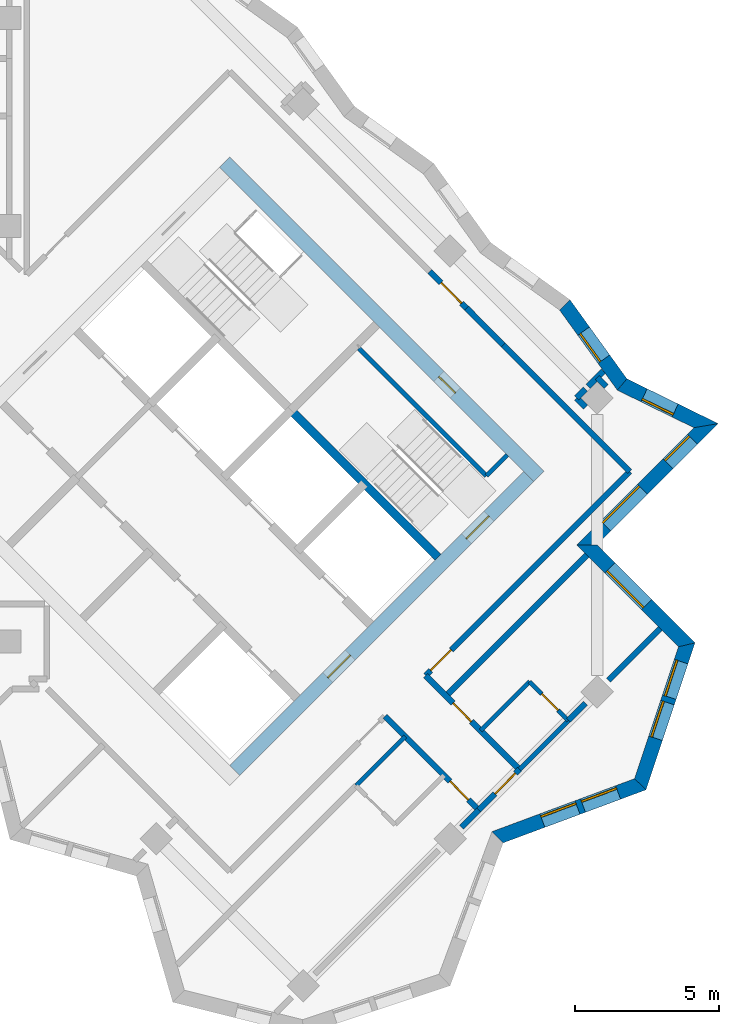
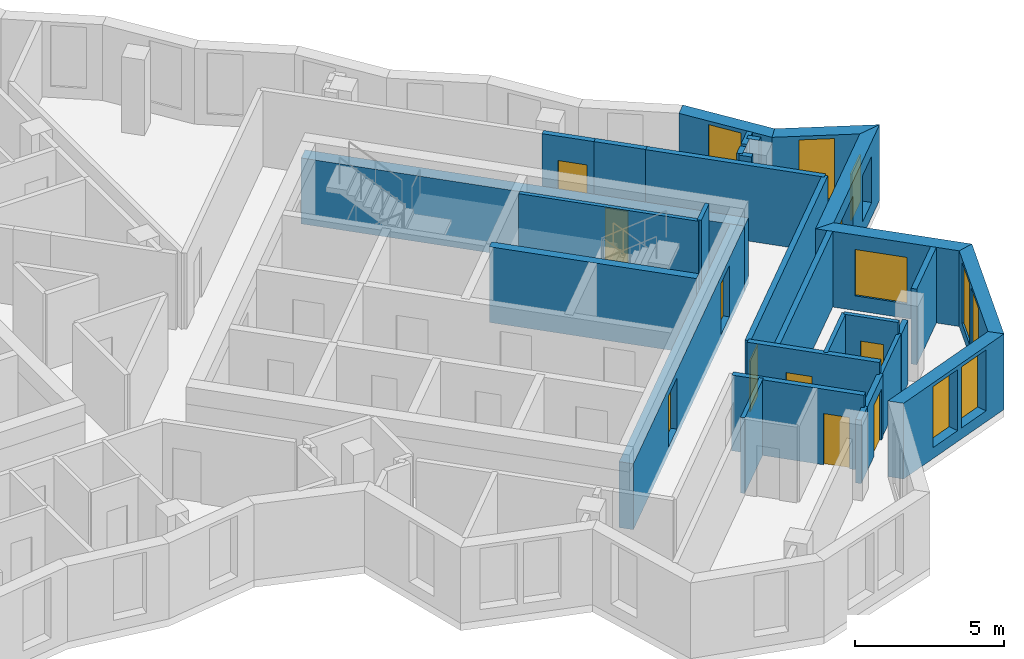
# One storey, part 9 of 13: 30 walls, 9 doors, 9 windows, 18 openings.
"""IFC4 building model written with IfcOpenShell, lengths in metres."""

from ifc_helpers import new_model, si_unit, direction, frame, frame_2d, origin, place, context, subcontext, project, spatial, polyline, rectangle, outline, extrude, material, layer, layer_set, type_object, element, fill, save


model = new_model("IFC4")

# Units and contexts
model_context = context("Model", 3, precision=1e-05, world=origin(), true_north=direction((0.0, 1.0)))
body_context = subcontext(model_context, "Body", "Model", "MODEL_VIEW")
ifc_project = project(units=[si_unit("LENGTHUNIT", "METRE"), si_unit("AREAUNIT", "SQUARE_METRE"), si_unit("VOLUMEUNIT", "CUBIC_METRE"), si_unit("PLANEANGLEUNIT", "RADIAN"), si_unit("MASSUNIT", "GRAM", prefix="KILO")], contexts=[model_context])

# Site, building, storey
site_placement = place(None, origin())
site = spatial("IfcSite", under=ifc_project, at=site_placement, CompositionType="ELEMENT")
building_placement = place(site_placement, origin())
building = spatial("IfcBuilding", under=site, at=building_placement, Name="Windrow Commons", CompositionType="ELEMENT")
storey_placement = place(building_placement, frame((0.0, 0.0, 216.8)))
storey = spatial("IfcBuildingStorey", under=building, at=storey_placement, Name="L59", CompositionType="ELEMENT", Elevation=216.8)

# Wall, openings, windows
ifc_material_1 = material(Name="Brick masonry, red clay brick", Category="masonry")
ifc_layer_1 = layer(ifc_material_1, 0.5)
ifc_layer_set_1 = layer_set([ifc_layer_1], Name="Brick facade wall 500")
wall_type_1 = type_object("IfcWallType", Name="Brick facade wall 500", PredefinedType="SOLIDWALL", material=ifc_layer_set_1)
wall_1_placement = place(storey_placement, frame((96.1175, 36.4148, 0.0), z_axis=(0.0, 0.0, 1.0), x_axis=(0.9374238577, 0.3481903374, 0.0)))
wall_1 = element("IfcWall", 1, at=wall_1_placement, inside=storey, type_object=wall_type_1, Name="Brick facade wall L59 3", PredefinedType="SOLIDWALL", context=body_context, shape_type="SweptSolid", body=[
    extrude(outline(polyline([(0.1146, -0.25), (5.3947, -0.25), (5.1552, 0.25), (-0.1146, 0.25), (0.1146, -0.25)])), origin(), (0.0, 0.0, 1.0), 3.1),
])
opening_1_placement = place(wall_1_placement, frame((1.655, 0.0, 0.45)))
opening_1 = element("IfcOpeningElement", 2, at=opening_1_placement, cuts=wall_1, Name="Opening W1Q", PredefinedType="OPENING", context=body_context, shape_type="SweptSolid", body=[
    extrude(rectangle(XDim=1.3, YDim=2.5, at=frame_2d((0.65, 1.25))), frame((0.0, 0.26, 0.0), z_axis=(0.0, -1.0, 0.0), x_axis=(1.0, 0.0, 0.0)), (0.0, 0.0, 1.0), 0.52),
])
opening_2_placement = place(wall_1_placement, frame((3.155, 0.0, 0.45)))
opening_2 = element("IfcOpeningElement", 3, at=opening_2_placement, cuts=wall_1, Name="Opening W1Q", PredefinedType="OPENING", context=body_context, shape_type="SweptSolid", body=[
    extrude(rectangle(XDim=1.3, YDim=2.5, at=frame_2d((0.65, 1.25))), frame((0.0, 0.26, 0.0), z_axis=(0.0, -1.0, 0.0), x_axis=(1.0, 0.0, 0.0)), (0.0, 0.0, 1.0), 0.52),
])
ifc_material_2 = material(Name="Clear float glass in anodised aluminium frame", Category="aluminium")
window_type_1 = type_object("IfcWindowType", Name="Window W1Q pair 1300x2500", PartitioningType="SINGLE_PANEL", PredefinedType="WINDOW", material=ifc_material_2)
window_1_placement = place(opening_1_placement, origin())
window_1 = element("IfcWindow", 4, at=window_1_placement, inside=storey, type_object=window_type_1, Name="Window L59 3.1A", OverallHeight=2.5, OverallWidth=1.3, PartitioningType="SINGLE_PANEL", PredefinedType="WINDOW", context=body_context, shape_type="SweptSolid", body=[
    extrude(rectangle(XDim=1.3, YDim=2.5, at=frame_2d((0.65, 1.25))), frame((0.0, 0.18, 0.0), z_axis=(0.0, -1.0, 0.0), x_axis=(1.0, 0.0, 0.0)), (0.0, 0.0, 1.0), 0.06),
])
fill(opening_1, window_1)
window_2_placement = place(opening_2_placement, origin())
window_2 = element("IfcWindow", 5, at=window_2_placement, inside=storey, type_object=window_type_1, Name="Window L59 3.1B", OverallHeight=2.5, OverallWidth=1.3, PartitioningType="SINGLE_PANEL", PredefinedType="WINDOW", context=body_context, shape_type="SweptSolid", body=[
    extrude(rectangle(XDim=1.3, YDim=2.5, at=frame_2d((0.65, 1.25))), frame((0.0, 0.18, 0.0), z_axis=(0.0, -1.0, 0.0), x_axis=(1.0, 0.0, 0.0)), (0.0, 0.0, 1.0), 0.06),
])
fill(opening_2, window_2)

wall_2_placement = place(storey_placement, frame((101.0624, 38.2515, 0.0), z_axis=(0.0, 0.0, 1.0), x_axis=(0.3162395484, 0.9486793705, 0.0)))
wall_2 = element("IfcWall", 6, at=wall_2_placement, inside=storey, type_object=wall_type_1, Name="Brick facade wall L59 4", PredefinedType="SOLIDWALL", context=body_context, shape_type="SweptSolid", body=[
    extrude(outline(polyline([(-0.1197, -0.25), (5.2468, -0.25), (4.9378, 0.25), (0.1197, 0.25), (-0.1197, -0.25)])), origin(), (0.0, 0.0, 1.0), 3.1),
])
opening_3_placement = place(wall_2_placement, frame((1.6796, 0.0, 0.45)))
opening_3 = element("IfcOpeningElement", 7, at=opening_3_placement, cuts=wall_2, Name="Opening W1Q", PredefinedType="OPENING", context=body_context, shape_type="SweptSolid", body=[
    extrude(rectangle(XDim=1.3, YDim=2.5, at=frame_2d((0.65, 1.25))), frame((0.0, 0.26, 0.0), z_axis=(0.0, -1.0, 0.0), x_axis=(1.0, 0.0, 0.0)), (0.0, 0.0, 1.0), 0.52),
])
opening_4_placement = place(wall_2_placement, frame((3.1796, 0.0, 0.45)))
opening_4 = element("IfcOpeningElement", 8, at=opening_4_placement, cuts=wall_2, Name="Opening W1Q", PredefinedType="OPENING", context=body_context, shape_type="SweptSolid", body=[
    extrude(rectangle(XDim=1.3, YDim=2.5, at=frame_2d((0.65, 1.25))), frame((0.0, 0.26, 0.0), z_axis=(0.0, -1.0, 0.0), x_axis=(1.0, 0.0, 0.0)), (0.0, 0.0, 1.0), 0.52),
])
window_3_placement = place(opening_3_placement, origin())
window_3 = element("IfcWindow", 9, at=window_3_placement, inside=storey, type_object=window_type_1, Name="Window L59 4.1A", OverallHeight=2.5, OverallWidth=1.3, PartitioningType="SINGLE_PANEL", PredefinedType="WINDOW", context=body_context, shape_type="SweptSolid", body=[
    extrude(rectangle(XDim=1.3, YDim=2.5, at=frame_2d((0.65, 1.25))), frame((0.0, 0.18, 0.0), z_axis=(0.0, -1.0, 0.0), x_axis=(1.0, 0.0, 0.0)), (0.0, 0.0, 1.0), 0.06),
])
fill(opening_3, window_3)
window_4_placement = place(opening_4_placement, origin())
window_4 = element("IfcWindow", 10, at=window_4_placement, inside=storey, type_object=window_type_1, Name="Window L59 4.1B", OverallHeight=2.5, OverallWidth=1.3, PartitioningType="SINGLE_PANEL", PredefinedType="WINDOW", context=body_context, shape_type="SweptSolid", body=[
    extrude(rectangle(XDim=1.3, YDim=2.5, at=frame_2d((0.65, 1.25))), frame((0.0, 0.18, 0.0), z_axis=(0.0, -1.0, 0.0), x_axis=(1.0, 0.0, 0.0)), (0.0, 0.0, 1.0), 0.06),
])
fill(opening_4, window_4)

# Wall, opening, window
wall_3_placement = place(storey_placement, frame((102.6728, 43.0825, 0.0), z_axis=(0.0, 0.0, 1.0), x_axis=(-0.7071067812, 0.7071067812, 0.0)))
wall_3 = element("IfcWall", 11, at=wall_3_placement, inside=storey, type_object=wall_type_1, Name="Brick facade wall L59 5", PredefinedType="SOLIDWALL", context=body_context, shape_type="SweptSolid", body=[
    extrude(outline(polyline([(-0.1545, -0.25), (4.6455, -0.25), (5.1455, 0.25), (0.1545, 0.25), (-0.1545, -0.25)])), origin(), (0.0, 0.0, 1.0), 3.1),
])
opening_5_placement = place(wall_3_placement, frame((1.9705, 0.0, 0.6)))
opening_5 = element("IfcOpeningElement", 12, at=opening_5_placement, cuts=wall_3, Name="Opening W1L", PredefinedType="OPENING", context=body_context, shape_type="SweptSolid", body=[
    extrude(rectangle(XDim=1.8, YDim=1.9, at=frame_2d((0.9, 0.95))), frame((0.0, 0.26, 0.0), z_axis=(0.0, -1.0, 0.0), x_axis=(1.0, 0.0, 0.0)), (0.0, 0.0, 1.0), 0.52),
])
ifc_material_3 = material(Name="Clear float glass in anodised aluminium frame", Category="aluminium")
window_type_2 = type_object("IfcWindowType", Name="Window W1L bedroom 1800x1900", PartitioningType="SINGLE_PANEL", PredefinedType="WINDOW", material=ifc_material_3)
window_5_placement = place(opening_5_placement, origin())
window_5 = element("IfcWindow", 13, at=window_5_placement, inside=storey, type_object=window_type_2, Name="Window L59 5.1", OverallHeight=1.9, OverallWidth=1.8, PartitioningType="SINGLE_PANEL", PredefinedType="WINDOW", context=body_context, shape_type="SweptSolid", body=[
    extrude(rectangle(XDim=1.8, YDim=1.9, at=frame_2d((0.9, 0.95))), frame((0.0, 0.18, 0.0), z_axis=(0.0, -1.0, 0.0), x_axis=(1.0, 0.0, 0.0)), (0.0, 0.0, 1.0), 0.06),
])
fill(opening_5, window_5)

# Wall, openings, windows
wall_4_placement = place(storey_placement, frame((99.2111, 46.5442, 0.0), z_axis=(0.0, 0.0, 1.0), x_axis=(0.7071067812, 0.7071067812, 0.0)))
wall_4 = element("IfcWall", 14, at=wall_4_placement, inside=storey, type_object=wall_type_1, Name="Brick facade wall L59 6", PredefinedType="SOLIDWALL", context=body_context, shape_type="SweptSolid", body=[
    extrude(outline(polyline([(0.25, -0.25), (6.192, -0.25), (5.4924, 0.25), (-0.25, 0.25), (0.25, -0.25)])), origin(), (0.0, 0.0, 1.0), 3.1),
])
opening_6_placement = place(wall_4_placement, frame((0.925, 0.0, 0.6)))
opening_6 = element("IfcOpeningElement", 15, at=opening_6_placement, cuts=wall_4, Name="Opening W1L", PredefinedType="OPENING", context=body_context, shape_type="SweptSolid", body=[
    extrude(rectangle(XDim=1.8, YDim=1.9, at=frame_2d((0.9, 0.95))), frame((0.0, 0.26, 0.0), z_axis=(0.0, -1.0, 0.0), x_axis=(1.0, 0.0, 0.0)), (0.0, 0.0, 1.0), 0.52),
])
opening_7_placement = place(wall_4_placement, frame((3.9712, 0.0, 0.6)))
opening_7 = element("IfcOpeningElement", 16, at=opening_7_placement, cuts=wall_4, Name="Opening W7G", PredefinedType="OPENING", context=body_context, shape_type="SweptSolid", body=[
    extrude(rectangle(XDim=1.2, YDim=1.9, at=frame_2d((0.6, 0.95))), frame((0.0, 0.26, 0.0), z_axis=(0.0, -1.0, 0.0), x_axis=(1.0, 0.0, 0.0)), (0.0, 0.0, 1.0), 0.52),
])
window_6_placement = place(opening_6_placement, origin())
window_6 = element("IfcWindow", 17, at=window_6_placement, inside=storey, type_object=window_type_2, Name="Window L59 6.1", OverallHeight=1.9, OverallWidth=1.8, PartitioningType="SINGLE_PANEL", PredefinedType="WINDOW", context=body_context, shape_type="SweptSolid", body=[
    extrude(rectangle(XDim=1.8, YDim=1.9, at=frame_2d((0.9, 0.95))), frame((0.0, 0.18, 0.0), z_axis=(0.0, -1.0, 0.0), x_axis=(1.0, 0.0, 0.0)), (0.0, 0.0, 1.0), 0.06),
])
fill(opening_6, window_6)
ifc_material_4 = material(Name="Clear float glass in anodised aluminium frame", Category="aluminium")
window_type_3 = type_object("IfcWindowType", Name="Window W7 notch 1200x1900", PartitioningType="SINGLE_PANEL", PredefinedType="WINDOW", material=ifc_material_4)
window_7_placement = place(opening_7_placement, origin())
window_7 = element("IfcWindow", 18, at=window_7_placement, inside=storey, type_object=window_type_3, Name="Window L59 6.2", OverallHeight=1.9, OverallWidth=1.2, PartitioningType="SINGLE_PANEL", PredefinedType="WINDOW", context=body_context, shape_type="SweptSolid", body=[
    extrude(rectangle(XDim=1.2, YDim=1.9, at=frame_2d((0.6, 0.95))), frame((0.0, 0.18, 0.0), z_axis=(0.0, -1.0, 0.0), x_axis=(1.0, 0.0, 0.0)), (0.0, 0.0, 1.0), 0.06),
])
fill(opening_7, window_7)

# Wall, opening, window
wall_5_placement = place(storey_placement, frame((103.3422, 50.6753, 0.0), z_axis=(0.0, 0.0, 1.0), x_axis=(-0.8979728607, 0.4400508396, 0.0)))
wall_5 = element("IfcWall", 19, at=wall_5_placement, inside=storey, type_object=wall_type_1, Name="Brick facade wall L59 7", PredefinedType="SOLIDWALL", context=body_context, shape_type="SweptSolid", body=[
    extrude(outline(polyline([(-0.3498, -0.25), (3.1772, -0.25), (3.3024, 0.25), (0.3498, 0.25), (-0.3498, -0.25)])), origin(), (0.0, 0.0, 1.0), 3.1),
])
opening_8_placement = place(wall_5_placement, frame((1.1948, 0.0, 0.45)))
opening_8 = element("IfcOpeningElement", 20, at=opening_8_placement, cuts=wall_5, Name="Opening W7E", PredefinedType="OPENING", context=body_context, shape_type="SweptSolid", body=[
    extrude(rectangle(XDim=1.2, YDim=2.5, at=frame_2d((0.6, 1.25))), frame((0.0, 0.26, 0.0), z_axis=(0.0, -1.0, 0.0), x_axis=(1.0, 0.0, 0.0)), (0.0, 0.0, 1.0), 0.52),
])
ifc_material_5 = material(Name="Clear float glass in anodised aluminium frame", Category="aluminium")
window_type_4 = type_object("IfcWindowType", Name="Window W7 notch 1200x2500", PartitioningType="SINGLE_PANEL", PredefinedType="WINDOW", material=ifc_material_5)
window_8_placement = place(opening_8_placement, origin())
window_8 = element("IfcWindow", 21, at=window_8_placement, inside=storey, type_object=window_type_4, Name="Window L59 7.1", OverallHeight=2.5, OverallWidth=1.2, PartitioningType="SINGLE_PANEL", PredefinedType="WINDOW", context=body_context, shape_type="SweptSolid", body=[
    extrude(rectangle(XDim=1.2, YDim=2.5, at=frame_2d((0.6, 1.25))), frame((0.0, 0.18, 0.0), z_axis=(0.0, -1.0, 0.0), x_axis=(1.0, 0.0, 0.0)), (0.0, 0.0, 1.0), 0.06),
])
fill(opening_8, window_8)

wall_6_placement = place(storey_placement, frame((100.4329, 52.101, 0.0), z_axis=(0.0, 0.0, 1.0), x_axis=(-0.5845942373, 0.8113258148, 0.0)))
wall_6 = element("IfcWall", 22, at=wall_6_placement, inside=storey, type_object=wall_type_1, Name="Brick facade wall L59 8", PredefinedType="SOLIDWALL", context=body_context, shape_type="SweptSolid", body=[
    extrude(outline(polyline([(0.0626, -0.25), (3.4433, -0.25), (3.3621, 0.25), (-0.0626, 0.25), (0.0626, -0.25)])), origin(), (0.0, 0.0, 1.0), 3.1),
])
opening_9_placement = place(wall_6_placement, frame((1.0811, 0.0, 0.45)))
opening_9 = element("IfcOpeningElement", 23, at=opening_9_placement, cuts=wall_6, Name="Opening W7E", PredefinedType="OPENING", context=body_context, shape_type="SweptSolid", body=[
    extrude(rectangle(XDim=1.2, YDim=2.5, at=frame_2d((0.6, 1.25))), frame((0.0, 0.26, 0.0), z_axis=(0.0, -1.0, 0.0), x_axis=(1.0, 0.0, 0.0)), (0.0, 0.0, 1.0), 0.52),
])
window_9_placement = place(opening_9_placement, origin())
window_9 = element("IfcWindow", 24, at=window_9_placement, inside=storey, type_object=window_type_4, Name="Window L59 8.1", OverallHeight=2.5, OverallWidth=1.2, PartitioningType="SINGLE_PANEL", PredefinedType="WINDOW", context=body_context, shape_type="SweptSolid", body=[
    extrude(rectangle(XDim=1.2, YDim=2.5, at=frame_2d((0.6, 1.25))), frame((0.0, 0.18, 0.0), z_axis=(0.0, -1.0, 0.0), x_axis=(1.0, 0.0, 0.0)), (0.0, 0.0, 1.0), 0.06),
])
fill(opening_9, window_9)

# Wall, opening, door
ifc_material_6 = material(Name="Blockwork partition", Category="masonry")
ifc_layer_2 = layer(ifc_material_6, 0.2)
ifc_layer_set_2 = layer_set([ifc_layer_2], Name="IW-CORRIDOR-200")
wall_type_2 = type_object("IfcWallType", Name="IW-CORRIDOR-200", PredefinedType="PARTITIONING", material=ifc_layer_set_2)
wall_7_placement = place(storey_placement, frame((93.6253, 42.0207, 0.0), z_axis=(0.0, 0.0, 1.0), x_axis=(0.7071067812, 0.7071067812, 0.0)))
wall_7 = element("IfcWall", 25, at=wall_7_placement, inside=storey, type_object=wall_type_2, Name="W-L59-W008", PredefinedType="PARTITIONING", context=body_context, shape_type="SweptSolid", body=[
    extrude(rectangle(XDim=9.9985, YDim=0.2, at=frame_2d((4.9992, 0.0))), origin(), (0.0, 0.0, 1.0), 3.1),
])
opening_10_placement = place(wall_7_placement, frame((0.2476, 0.0, 0.0)))
opening_10 = element("IfcOpeningElement", 26, at=opening_10_placement, cuts=wall_7, Name="Opening D310F", PredefinedType="OPENING", context=body_context, shape_type="SweptSolid", body=[
    extrude(rectangle(XDim=1.0, YDim=2.1, at=frame_2d((0.5, 1.05))), frame((0.0, 0.11, 0.0), z_axis=(0.0, -1.0, 0.0), x_axis=(1.0, 0.0, 0.0)), (0.0, 0.0, 1.0), 0.22),
])
ifc_material_7 = material(Name="Timber door leaf", Category="wood")
door_type_1 = type_object("IfcDoorType", Name="DT-AMENITY-1000", OperationType="SINGLE_SWING_LEFT", PredefinedType="DOOR", material=ifc_material_7)
door_1_placement = place(opening_10_placement, origin())
door_1 = element("IfcDoor", 27, at=door_1_placement, inside=storey, type_object=door_type_1, Name="D-L59-D045", OperationType="SINGLE_SWING_LEFT", OverallHeight=2.1, OverallWidth=1.0, PredefinedType="DOOR", context=body_context, shape_type="SweptSolid", body=[
    extrude(rectangle(XDim=1.0, YDim=2.1, at=frame_2d((0.5, 1.05))), frame((0.0, 0.025, 0.0), z_axis=(0.0, -1.0, 0.0), x_axis=(1.0, 0.0, 0.0)), (0.0, 0.0, 1.0), 0.05),
])
fill(opening_10, door_1)

# Wall
wall_8_placement = place(storey_placement, frame((96.3087, 53.4707, 0.0), z_axis=(0.0, 0.0, 1.0), x_axis=(0.7071067812, -0.7071067812, 0.0)))
element("IfcWall", 28, at=wall_8_placement, inside=storey, type_object=wall_type_2, Name="W-L59-W024", PredefinedType="PARTITIONING", context=body_context, shape_type="SweptSolid", body=[
    extrude(rectangle(XDim=6.1999, YDim=0.2, at=frame_2d((3.1, 0.0))), origin(), (0.0, 0.0, 1.0), 3.1),
])

# Wall, opening, door
wall_9_placement = place(storey_placement, frame((93.6226, 42.0146, 0.0), z_axis=(0.0, 0.0, 1.0), x_axis=(0.7071067812, -0.7071067812, 0.0)))
wall_9 = element("IfcWall", 29, at=wall_9_placement, inside=storey, type_object=wall_type_2, Name="W-L59-W036", PredefinedType="PARTITIONING", context=body_context, shape_type="SweptSolid", body=[
    extrude(rectangle(XDim=4.599, YDim=0.2, at=frame_2d((2.2995, 0.0))), origin(), (0.0, 0.0, 1.0), 3.1),
])
opening_11_placement = place(wall_9_placement, frame((1.3488, 0.0, 0.0)))
opening_11 = element("IfcOpeningElement", 30, at=opening_11_placement, cuts=wall_9, Name="Opening D109S", PredefinedType="OPENING", context=body_context, shape_type="SweptSolid", body=[
    extrude(rectangle(XDim=0.9, YDim=2.1, at=frame_2d((0.45, 1.05))), frame((0.0, 0.11, 0.0), z_axis=(0.0, -1.0, 0.0), x_axis=(1.0, 0.0, 0.0)), (0.0, 0.0, 1.0), 0.22),
])
ifc_material_8 = material(Name="Timber door leaf", Category="wood")
door_type_2 = type_object("IfcDoorType", Name="DT-BEDROOM-900", OperationType="SINGLE_SWING_LEFT", PredefinedType="DOOR", material=ifc_material_8)
door_2_placement = place(opening_11_placement, origin())
door_2 = element("IfcDoor", 31, at=door_2_placement, inside=storey, type_object=door_type_2, Name="D-L59-D047", OperationType="SINGLE_SWING_RIGHT", OverallHeight=2.1, OverallWidth=0.9, PredefinedType="DOOR", context=body_context, shape_type="SweptSolid", body=[
    extrude(rectangle(XDim=0.9, YDim=2.1, at=frame_2d((0.45, 1.05))), frame((0.0, 0.025, 0.0), z_axis=(0.0, -1.0, 0.0), x_axis=(1.0, 0.0, 0.0)), (0.0, 0.0, 1.0), 0.05),
])
fill(opening_11, door_2)

wall_10_placement = place(storey_placement, frame((92.2155, 40.6075, 0.0), z_axis=(0.0, 0.0, 1.0), x_axis=(0.7071067812, -0.7071067812, 0.0)))
wall_10 = element("IfcWall", 32, at=wall_10_placement, inside=storey, type_object=wall_type_2, Name="W-L59-W037", PredefinedType="PARTITIONING", context=body_context, shape_type="SweptSolid", body=[
    extrude(rectangle(XDim=4.599, YDim=0.2, at=frame_2d((2.2995, 0.0))), origin(), (0.0, 0.0, 1.0), 3.1),
])
opening_12_placement = place(wall_10_placement, frame((3.1888, 0.0, 0.0)))
opening_12 = element("IfcOpeningElement", 33, at=opening_12_placement, cuts=wall_10, Name="Opening D109S", PredefinedType="OPENING", context=body_context, shape_type="SweptSolid", body=[
    extrude(rectangle(XDim=0.9, YDim=2.1, at=frame_2d((0.45, 1.05))), frame((0.0, 0.11, 0.0), z_axis=(0.0, -1.0, 0.0), x_axis=(1.0, 0.0, 0.0)), (0.0, 0.0, 1.0), 0.22),
])
door_3_placement = place(opening_12_placement, origin())
door_3 = element("IfcDoor", 34, at=door_3_placement, inside=storey, type_object=door_type_2, Name="D-L59-D049", OperationType="SINGLE_SWING_LEFT", OverallHeight=2.1, OverallWidth=0.9, PredefinedType="DOOR", context=body_context, shape_type="SweptSolid", body=[
    extrude(rectangle(XDim=0.9, YDim=2.1, at=frame_2d((0.45, 1.05))), frame((0.0, 0.025, 0.0), z_axis=(0.0, -1.0, 0.0), x_axis=(1.0, 0.0, 0.0)), (0.0, 0.0, 1.0), 0.05),
])
fill(opening_12, door_3)

wall_11_placement = place(storey_placement, frame((95.463, 37.353, 0.0), z_axis=(0.0, 0.0, 1.0), x_axis=(0.7071067812, 0.7071067812, 0.0)))
wall_11 = element("IfcWall", 35, at=wall_11_placement, inside=storey, type_object=wall_type_2, Name="W-L59-W105", PredefinedType="PARTITIONING", context=body_context, shape_type="SweptSolid", body=[
    extrude(rectangle(XDim=1.9997, YDim=0.2, at=frame_2d((0.9999, 0.0))), origin(), (0.0, 0.0, 1.0), 2.6),
])
opening_13_placement = place(wall_11_placement, frame((0.8023, 0.0, 0.0)))
opening_13 = element("IfcOpeningElement", 36, at=opening_13_placement, cuts=wall_11, Name="Opening D310F", PredefinedType="OPENING", context=body_context, shape_type="SweptSolid", body=[
    extrude(rectangle(XDim=1.0, YDim=2.1, at=frame_2d((0.5, 1.05))), frame((0.0, 0.11, 0.0), z_axis=(0.0, -1.0, 0.0), x_axis=(1.0, 0.0, 0.0)), (0.0, 0.0, 1.0), 0.22),
])
door_4_placement = place(opening_13_placement, origin())
door_4 = element("IfcDoor", 37, at=door_4_placement, inside=storey, type_object=door_type_1, Name="D-L59-D051", OperationType="SINGLE_SWING_RIGHT", OverallHeight=2.1, OverallWidth=1.0, PredefinedType="DOOR", context=body_context, shape_type="SweptSolid", body=[
    extrude(rectangle(XDim=1.0, YDim=2.1, at=frame_2d((0.5, 1.05))), frame((0.0, 0.025, 0.0), z_axis=(0.0, -1.0, 0.0), x_axis=(1.0, 0.0, 0.0)), (0.0, 0.0, 1.0), 0.05),
])
fill(opening_13, door_4)

wall_12_placement = place(storey_placement, frame((93.7634, 56.0174, 0.0), z_axis=(0.0, 0.0, 1.0), x_axis=(0.7076620277, -0.7065510983, 0.0)))
wall_12 = element("IfcWall", 38, at=wall_12_placement, inside=storey, type_object=wall_type_2, Name="W-L59-W122", PredefinedType="PARTITIONING", context=body_context, shape_type="SweptSolid", body=[
    extrude(rectangle(XDim=1.8003, YDim=0.2, at=frame_2d((0.9002, 0.0))), origin(), (0.0, 0.0, 1.0), 3.1),
])
opening_14_placement = place(wall_12_placement, frame((0.5595, 0.0, 0.0)))
opening_14 = element("IfcOpeningElement", 39, at=opening_14_placement, cuts=wall_12, Name="Opening D310F", PredefinedType="OPENING", context=body_context, shape_type="SweptSolid", body=[
    extrude(rectangle(XDim=1.0, YDim=2.1, at=frame_2d((0.5, 1.05))), frame((0.0, 0.11, 0.0), z_axis=(0.0, -1.0, 0.0), x_axis=(1.0, 0.0, 0.0)), (0.0, 0.0, 1.0), 0.22),
])
door_5_placement = place(opening_14_placement, origin())
door_5 = element("IfcDoor", 40, at=door_5_placement, inside=storey, type_object=door_type_1, Name="D-L59-D042", OperationType="SINGLE_SWING_LEFT", OverallHeight=2.1, OverallWidth=1.0, PredefinedType="DOOR", context=body_context, shape_type="SweptSolid", body=[
    extrude(rectangle(XDim=1.0, YDim=2.1, at=frame_2d((0.5, 1.05))), frame((0.0, 0.025, 0.0), z_axis=(0.0, -1.0, 0.0), x_axis=(1.0, 0.0, 0.0)), (0.0, 0.0, 1.0), 0.05),
])
fill(opening_14, door_5)

# Walls
wall_13_placement = place(storey_placement, frame((95.0411, 54.7491, 0.0), z_axis=(0.0, 0.0, 1.0), x_axis=(0.7065510983, -0.7076620277, 0.0)))
element("IfcWall", 41, at=wall_13_placement, inside=storey, type_object=wall_type_2, Name="W-L59-W123", PredefinedType="PARTITIONING", context=body_context, shape_type="SweptSolid", body=[
    extrude(rectangle(XDim=1.8003, YDim=0.2, at=frame_2d((0.9002, 0.0))), origin(), (0.0, 0.0, 1.0), 3.1),
])
ifc_material_9 = material(Name="Blockwork partition", Category="masonry")
ifc_layer_3 = layer(ifc_material_9, 0.15)
ifc_layer_set_3 = layer_set([ifc_layer_3], Name="IW-ENSUITE-150")
wall_type_3 = type_object("IfcWallType", Name="IW-ENSUITE-150", PredefinedType="PARTITIONING", material=ifc_layer_set_3)
wall_14_placement = place(storey_placement, frame((91.2194, 38.2006, 0.0), z_axis=(0.0, 0.0, 1.0), x_axis=(0.7071067812, 0.7071067812, 0.0)))
element("IfcWall", 42, at=wall_14_placement, inside=storey, type_object=wall_type_3, Name="W-L59-W067", PredefinedType="PARTITIONING", context=body_context, shape_type="SweptSolid", body=[
    extrude(rectangle(XDim=2.4013, YDim=0.15, at=frame_2d((1.2006, 0.0))), origin(), (0.0, 0.0, 1.0), 3.1),
])
wall_15_placement = place(storey_placement, frame((96.8795, 38.7645, 0.0), z_axis=(0.0, 0.0, 1.0), x_axis=(0.706689978, 0.7075233388, 0.0)))
element("IfcWall", 43, at=wall_15_placement, inside=storey, type_object=wall_type_3, Name="W-L59-W095", PredefinedType="PARTITIONING", context=body_context, shape_type="SweptSolid", body=[
    extrude(rectangle(XDim=2.3999, YDim=0.15, at=frame_2d((1.2, 0.0))), origin(), (0.0, 0.0, 1.0), 2.6),
])
wall_16_placement = place(storey_placement, frame((95.5311, 40.1129, 0.0), z_axis=(0.0, 0.0, 1.0), x_axis=(0.7075233388, 0.706689978, 0.0)))
element("IfcWall", 44, at=wall_16_placement, inside=storey, type_object=wall_type_3, Name="W-L59-W096", PredefinedType="PARTITIONING", context=body_context, shape_type="SweptSolid", body=[
    extrude(rectangle(XDim=2.3999, YDim=0.15, at=frame_2d((1.2, 0.0))), origin(), (0.0, 0.0, 1.0), 3.1),
])

# Wall, opening, door
wall_17_placement = place(storey_placement, frame((97.2287, 41.8027, 0.0), z_axis=(0.0, 0.0, 1.0), x_axis=(0.7071067812, -0.7071067812, 0.0)))
wall_17 = element("IfcWall", 45, at=wall_17_placement, inside=storey, type_object=wall_type_3, Name="W-L59-W121", PredefinedType="PARTITIONING", context=body_context, shape_type="SweptSolid", body=[
    extrude(rectangle(XDim=1.8979, YDim=0.15, at=frame_2d((0.9489, 0.0))), origin(), (0.0, 0.0, 1.0), 3.1),
])
opening_15_placement = place(wall_17_placement, frame((0.5942, 0.0, 0.0)))
opening_15 = element("IfcOpeningElement", 46, at=opening_15_placement, cuts=wall_17, Name="Opening D208N", PredefinedType="OPENING", context=body_context, shape_type="SweptSolid", body=[
    extrude(rectangle(XDim=0.8, YDim=2.1, at=frame_2d((0.4, 1.05))), frame((0.0, 0.085, 0.0), z_axis=(0.0, -1.0, 0.0), x_axis=(1.0, 0.0, 0.0)), (0.0, 0.0, 1.0), 0.17),
])
ifc_material_10 = material(Name="Timber door leaf", Category="wood")
door_type_3 = type_object("IfcDoorType", Name="DT-ENSUITE-800", OperationType="SINGLE_SWING_LEFT", PredefinedType="DOOR", material=ifc_material_10)
door_6_placement = place(opening_15_placement, origin())
door_6 = element("IfcDoor", 47, at=door_6_placement, inside=storey, type_object=door_type_3, Name="D-L59-D048", OperationType="SINGLE_SWING_RIGHT", OverallHeight=2.1, OverallWidth=0.8, PredefinedType="DOOR", context=body_context, shape_type="SweptSolid", body=[
    extrude(rectangle(XDim=0.8, YDim=2.1, at=frame_2d((0.4, 1.05))), frame((0.0, 0.025, 0.0), z_axis=(0.0, -1.0, 0.0), x_axis=(1.0, 0.0, 0.0)), (0.0, 0.0, 1.0), 0.05),
])
fill(opening_15, door_6)

# Walls
ifc_material_11 = material(Name="Blockwork partition", Category="masonry")
ifc_layer_4 = layer(ifc_material_11, 0.2)
ifc_layer_set_4 = layer_set([ifc_layer_4], Name="IW-PARTY-200")
wall_type_4 = type_object("IfcWallType", Name="IW-PARTY-200", PredefinedType="PARTITIONING", material=ifc_layer_set_4)
wall_18_placement = place(storey_placement, frame((94.3314, 41.3126, 0.0), z_axis=(0.0, 0.0, 1.0), x_axis=(0.7072516979, 0.7069618347, 0.0)))
element("IfcWall", 48, at=wall_18_placement, inside=storey, type_object=wall_type_4, Name="W-L59-W016", PredefinedType="PARTITIONING", context=body_context, shape_type="SweptSolid", body=[
    extrude(rectangle(XDim=6.8998, YDim=0.2, at=frame_2d((3.4499, 0.0))), origin(), (0.0, 0.0, 1.0), 3.1),
])
wall_19_placement = place(storey_placement, frame((99.964, 41.854, 0.0), z_axis=(0.0, 0.0, 1.0), x_axis=(0.7071265121, 0.7070870497, 0.0)))
element("IfcWall", 49, at=wall_19_placement, inside=storey, type_object=wall_type_4, Name="W-L59-W065", PredefinedType="PARTITIONING", context=body_context, shape_type="SweptSolid", body=[
    extrude(rectangle(XDim=2.5341, YDim=0.2, at=frame_2d((1.2671, 0.0))), origin(), (0.0, 0.0, 1.0), 3.1),
])
for number, where, z_axis, x_axis, name in (
    (50, (98.574, 40.464, 0.0), (0.0, 0.0, 1.0), (0.7071067812, 0.7071067812, 0.0), "W-L59-W145"),
    (51, (94.873, 36.763, 0.0), (0.0, 0.0, 1.0), (0.7071067812, 0.7071067812, 0.0), "W-L59-W146"),
):
    element("IfcWall", number, at=place(storey_placement, frame(where, z_axis=z_axis, x_axis=x_axis)), inside=storey, type_object=wall_type_4, Name=name, PredefinedType="PARTITIONING", context=body_context, shape_type="SweptSolid", body=[
        extrude(rectangle(XDim=0.8344, YDim=0.2, at=frame_2d((0.4172, 0.0))), origin(), (0.0, 0.0, 1.0), 2.6),
    ])
for number, where, z_axis, x_axis, name in (
    (52, (98.8533, 51.6327, 0.0), (0.0, 0.0, 1.0), (0.7071067812, 0.7071067812, 0.0), "W-L59-W168"),
    (53, (98.8542, 51.6322, 0.0), (0.0, 0.0, 1.0), (0.7071067812, -0.7071067812, 0.0), "W-L59-W171"),
    (54, (99.5684, 52.3464, 0.0), (0.0, 0.0, 1.0), (0.7071067812, -0.7071067812, 0.0), "W-L59-W172"),
):
    element("IfcWall", number, at=place(storey_placement, frame(where, z_axis=z_axis, x_axis=x_axis)), inside=storey, type_object=wall_type_4, Name=name, PredefinedType="PARTITIONING", context=body_context, shape_type="SweptSolid", body=[
        extrude(rectangle(XDim=0.4384, YDim=0.2, at=frame_2d((0.2192, 0.0))), origin(), (0.0, 0.0, 1.0), 3.1),
    ])
wall_20_placement = place(storey_placement, frame((99.2573, 52.0367, 0.0), z_axis=(0.0, 0.0, 1.0), x_axis=(0.7071067812, 0.7071067812, 0.0)))
element("IfcWall", 55, at=wall_20_placement, inside=storey, type_object=wall_type_4, Name="W-L59-W175", PredefinedType="PARTITIONING", context=body_context, shape_type="SweptSolid", body=[
    extrude(rectangle(XDim=0.7511, YDim=0.2, at=frame_2d((0.3755, 0.0))), origin(), (0.0, 0.0, 1.0), 3.1),
])

# Wall, opening, door
ifc_material_12 = material(Name="Concrete C40/50", Category="concrete")
ifc_layer_5 = layer(ifc_material_12, 0.5)
ifc_layer_set_5 = layer_set([ifc_layer_5], Name="RC CORE WALL 500 C40/50")
wall_type_5 = type_object("IfcWallType", Name="RC CORE WALL 500 C40/50", PredefinedType="SHEAR", material=ifc_layer_set_5)
wall_21_placement = place(storey_placement, frame((86.66, 59.8024, -0.3), z_axis=(0.0, 0.0, 1.0), x_axis=(0.7071067812, -0.7071067812, 0.0)))
wall_21 = element("IfcWall", 56, at=wall_21_placement, inside=storey, type_object=wall_type_5, Name="Core B wall outer-N", PredefinedType="SHEAR", context=body_context, shape_type="SweptSolid", body=[
    extrude(rectangle(XDim=15.3999, YDim=0.5, at=frame_2d((7.7, 0.0))), origin(), (0.0, 0.0, 1.0), 2.7),
])
opening_16_placement = place(wall_21_placement, frame((10.5, 0.0, 0.3)))
opening_16 = element("IfcOpeningElement", 57, at=opening_16_placement, cuts=wall_21, Name="Opening D9", PredefinedType="OPENING", context=body_context, shape_type="SweptSolid", body=[
    extrude(rectangle(XDim=0.8, YDim=2.1, at=frame_2d((0.4, 1.05))), frame((0.0, 0.26, 0.0), z_axis=(0.0, -1.0, 0.0), x_axis=(1.0, 0.0, 0.0)), (0.0, 0.0, 1.0), 0.52),
])
ifc_material_13 = material(Name="Steel fire door leaf", Category="steel")
door_type_4 = type_object("IfcDoorType", Name="Riser access door 800", OperationType="SINGLE_SWING_LEFT", PredefinedType="DOOR", material=ifc_material_13)
door_7_placement = place(opening_16_placement, origin())
door_7 = element("IfcDoor", 58, at=door_7_placement, inside=storey, type_object=door_type_4, Name="Riser access door", OperationType="SINGLE_SWING_RIGHT", OverallHeight=2.1, OverallWidth=0.8, PredefinedType="DOOR", context=body_context, shape_type="SweptSolid", body=[
    extrude(rectangle(XDim=0.8, YDim=2.1, at=frame_2d((0.4, 1.05))), frame((0.0, 0.025, 0.0), z_axis=(0.0, -1.0, 0.0), x_axis=(1.0, 0.0, 0.0)), (0.0, 0.0, 1.0), 0.05),
])
fill(opening_16, door_7)

# Wall, openings, doors
wall_22_placement = place(storey_placement, frame((87.0135, 38.7306, -0.3), z_axis=(0.0, 0.0, 1.0), x_axis=(0.7071067812, 0.7071067812, 0.0)))
wall_22 = element("IfcWall", 59, at=wall_22_placement, inside=storey, type_object=wall_type_5, Name="Core B wall outer-E", PredefinedType="SHEAR", context=body_context, shape_type="SweptSolid", body=[
    extrude(rectangle(XDim=14.4001, YDim=0.5, at=frame_2d((7.2001, 0.0))), origin(), (0.0, 0.0, 1.0), 2.7),
])
opening_17_placement = place(wall_22_placement, frame((4.55, 0.0, 0.3)))
opening_17 = element("IfcOpeningElement", 60, at=opening_17_placement, cuts=wall_22, Name="Opening D6", PredefinedType="OPENING", context=body_context, shape_type="SweptSolid", body=[
    extrude(rectangle(XDim=1.1, YDim=2.1, at=frame_2d((0.55, 1.05))), frame((0.0, 0.26, 0.0), z_axis=(0.0, -1.0, 0.0), x_axis=(1.0, 0.0, 0.0)), (0.0, 0.0, 1.0), 0.52),
])
opening_18_placement = place(wall_22_placement, frame((11.35, 0.0, 0.3)))
opening_18 = element("IfcOpeningElement", 61, at=opening_18_placement, cuts=wall_22, Name="Opening D7", PredefinedType="OPENING", context=body_context, shape_type="SweptSolid", body=[
    extrude(rectangle(XDim=1.1, YDim=2.1, at=frame_2d((0.55, 1.05))), frame((0.0, 0.26, 0.0), z_axis=(0.0, -1.0, 0.0), x_axis=(1.0, 0.0, 0.0)), (0.0, 0.0, 1.0), 0.52),
])
ifc_material_14 = material(Name="Steel fire door leaf", Category="steel")
door_type_5 = type_object("IfcDoorType", Name="Core lobby door 1100", OperationType="SINGLE_SWING_LEFT", PredefinedType="DOOR", material=ifc_material_14)
door_8_placement = place(opening_17_placement, origin())
door_8 = element("IfcDoor", 62, at=door_8_placement, inside=storey, type_object=door_type_5, Name="Lift lobby door", OperationType="DOUBLE_DOOR_SINGLE_SWING", OverallHeight=2.1, OverallWidth=1.1, PredefinedType="DOOR", context=body_context, shape_type="SweptSolid", body=[
    extrude(rectangle(XDim=1.1, YDim=2.1, at=frame_2d((0.55, 1.05))), frame((0.0, 0.025, 0.0), z_axis=(0.0, -1.0, 0.0), x_axis=(1.0, 0.0, 0.0)), (0.0, 0.0, 1.0), 0.05),
])
fill(opening_17, door_8)
ifc_material_15 = material(Name="Steel fire door leaf", Category="steel")
door_type_6 = type_object("IfcDoorType", Name="Stair door 1100", OperationType="SINGLE_SWING_LEFT", PredefinedType="DOOR", material=ifc_material_15)
door_9_placement = place(opening_18_placement, origin())
door_9 = element("IfcDoor", 63, at=door_9_placement, inside=storey, type_object=door_type_6, Name="Stair door", OperationType="SINGLE_SWING_RIGHT", OverallHeight=2.1, OverallWidth=1.1, PredefinedType="DOOR", context=body_context, shape_type="SweptSolid", body=[
    extrude(rectangle(XDim=1.1, YDim=2.1, at=frame_2d((0.55, 1.05))), frame((0.0, 0.025, 0.0), z_axis=(0.0, -1.0, 0.0), x_axis=(1.0, 0.0, 0.0)), (0.0, 0.0, 1.0), 0.05),
])
fill(opening_18, door_9)

# Walls
ifc_material_16 = material(Name="Concrete C40/50", Category="concrete")
ifc_layer_6 = layer(ifc_material_16, 0.3)
ifc_layer_set_6 = layer_set([ifc_layer_6], Name="RC SHAFT WALL 300 C40/50")
wall_type_6 = type_object("IfcWallType", Name="RC SHAFT WALL 300 C40/50", PredefinedType="SOLIDWALL", material=ifc_layer_set_6)
wall_23_placement = place(storey_placement, frame((88.9581, 51.2111, 0.0), z_axis=(0.0, 0.0, 1.0), x_axis=(0.7070998367, -0.7071137256, 0.0)))
element("IfcWall", 64, at=wall_23_placement, inside=storey, type_object=wall_type_6, Name="Core B wall stair-S2", PredefinedType="SOLIDWALL", context=body_context, shape_type="SweptSolid", body=[
    extrude(rectangle(XDim=7.2, YDim=0.3, at=frame_2d((3.6, 0.0))), origin(), (0.0, 0.0, 1.0), 3.1),
])
ifc_material_17 = material(Name="Blockwork partition", Category="masonry")
ifc_layer_7 = layer(ifc_material_17, 0.15)
ifc_layer_set_7 = layer_set([ifc_layer_7], Name="Riser partition 150")
wall_type_7 = type_object("IfcWallType", Name="Riser partition 150", PredefinedType="PARTITIONING", material=ifc_layer_set_7)
wall_24_placement = place(storey_placement, frame((91.3127, 53.3536, 0.0), z_axis=(0.0, 0.0, 1.0), x_axis=(0.7071147811, -0.7070987812, 0.0)))
element("IfcWall", 65, at=wall_24_placement, inside=storey, type_object=wall_type_7, Name="W-core-strip-B-L59", PredefinedType="PARTITIONING", context=body_context, shape_type="SweptSolid", body=[
    extrude(rectangle(XDim=6.25, YDim=0.15, at=frame_2d((3.125, 0.0))), origin(), (0.0, 0.0, 1.0), 3.1),
])
wall_25_placement = place(storey_placement, frame((95.7322, 48.9342, 0.0), z_axis=(0.0, 0.0, 1.0), x_axis=(0.7071067812, 0.7071067812, 0.0)))
element("IfcWall", 66, at=wall_25_placement, inside=storey, type_object=wall_type_7, Name="W-core-stripx-B-L59-1", PredefinedType="PARTITIONING", context=body_context, shape_type="SweptSolid", body=[
    extrude(rectangle(XDim=1.0199, YDim=0.15, at=frame_2d((0.51, 0.0))), origin(), (0.0, 0.0, 1.0), 3.1),
])

save(model, "model.ifc")
